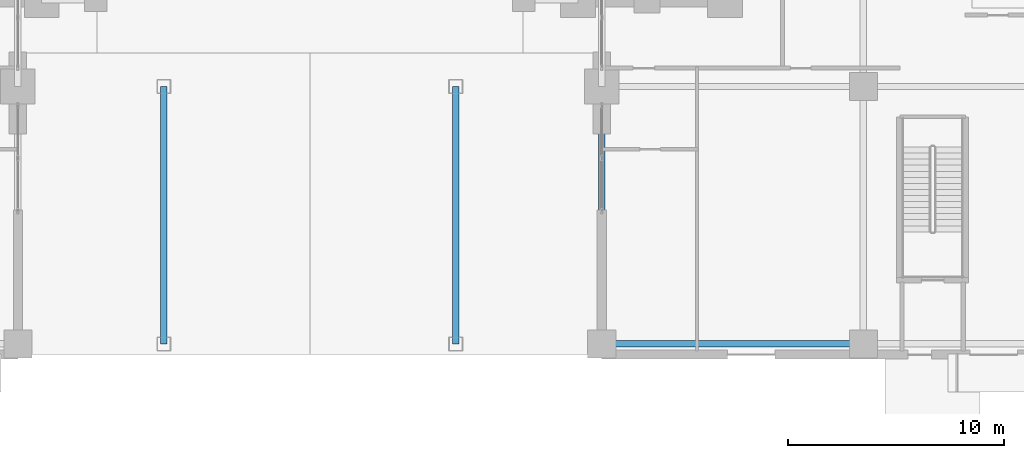
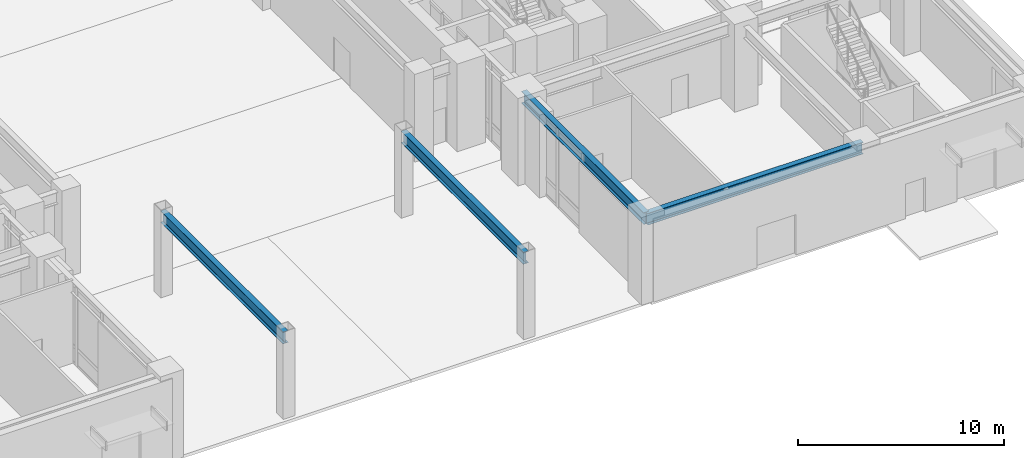
# One storey, part 7 of 23: 4 beams.
"""IFC4 building model written with IfcOpenShell, lengths in metres."""

from ifc_helpers import new_model, si_unit, direction, frame, origin, origin_2d, place, context, subcontext, project, spatial, i_section, extrude, material, material_profile, profile_set, type_object, element, save


model = new_model("IFC4")

# Units and contexts
model_context = context("Model", 3, precision=1e-05, world=origin(), true_north=direction((0.0, 1.0)))
body_context = subcontext(model_context, "Body", "Model", "MODEL_VIEW")
ifc_project = project(units=[si_unit("LENGTHUNIT", "METRE"), si_unit("AREAUNIT", "SQUARE_METRE"), si_unit("VOLUMEUNIT", "CUBIC_METRE"), si_unit("PLANEANGLEUNIT", "RADIAN"), si_unit("MASSUNIT", "GRAM", prefix="KILO")], contexts=[model_context])

# Site, building, storey
site_placement = place(None, origin())
site = spatial("IfcSite", under=ifc_project, at=site_placement, CompositionType="ELEMENT")
building_placement = place(site_placement, origin())
building = spatial("IfcBuilding", under=site, at=building_placement, Name="Voryun Gate Residences", CompositionType="ELEMENT")
storey_placement = place(building_placement, origin())
storey = spatial("IfcBuildingStorey", under=building, at=storey_placement, Name="L00", CompositionType="ELEMENT", Elevation=0.0)

# Beams
ifc_material = material(Name="Steel SM355", Category="steel")
ifc_material_profile = material_profile(ifc_material, i_section(OverallWidth=0.300048828125, OverallDepth=0.699951171875, WebThickness=0.012939453125, FlangeThickness=0.02392578125, FilletRadius=0.01806640625, at=origin_2d()), Name="H-700x300x13x24")
ifc_profile_set = profile_set([ifc_material_profile], Name="Steel SM355")
beam_type = type_object("IfcBeamType", Name="BM_GIRD_700", PredefinedType="USERDEFINED", material=ifc_profile_set)
beam_placement = place(storey_placement, frame((13.5, -23.300048828125, 4.570068359375), z_axis=(1.0, 0.0, 0.0), x_axis=(0.0, 1.0, 0.0)))
element("IfcBeam", 1, at=beam_placement, inside=storey, type_object=beam_type, Name="BM-L00-PEX--23.3-0", ObjectType="GIRDER", PredefinedType="USERDEFINED", context=body_context, shape_type="SweptSolid", body=[
    extrude(i_section(OverallWidth=0.300048828125, OverallDepth=0.699951171875, WebThickness=0.012939453125, FlangeThickness=0.02392578125, FilletRadius=0.01806640625, at=origin_2d()), origin(), (0.0, 0.0, 1.0), 12.10009765625),
])
for number, where, z_axis, x_axis, name in (
    (2, (13.5, -23.300048828125, 4.570068359375), (0.0, 1.0, 0.0), (-1.0, 0.0, 0.0), "BM-L00-PEYA--23.3"),
    (3, (-6.75, -23.300048828125, 4.570068359375), (0.0, 1.0, 0.0), (-1.0, 0.0, 0.0), "BM-L00-APY-S--6.75"),
    (4, (6.75, -23.300048828125, 4.570068359375), (0.0, 1.0, 0.0), (-1.0, 0.0, 0.0), "BM-L00-APY-S-+6.75"),
):
    element("IfcBeam", number, at=place(storey_placement, frame(where, z_axis=z_axis, x_axis=x_axis)), inside=storey, type_object=beam_type, Name=name, ObjectType="GIRDER", PredefinedType="USERDEFINED", context=body_context, shape_type="SweptSolid", body=[
        extrude(i_section(OverallWidth=0.300048828125, OverallDepth=0.699951171875, WebThickness=0.012939453125, FlangeThickness=0.02392578125, FilletRadius=0.01806640625, at=origin_2d()), origin(), (0.0, 0.0, 1.0), 11.900146484375),
    ])

save(model, "model.ifc")
